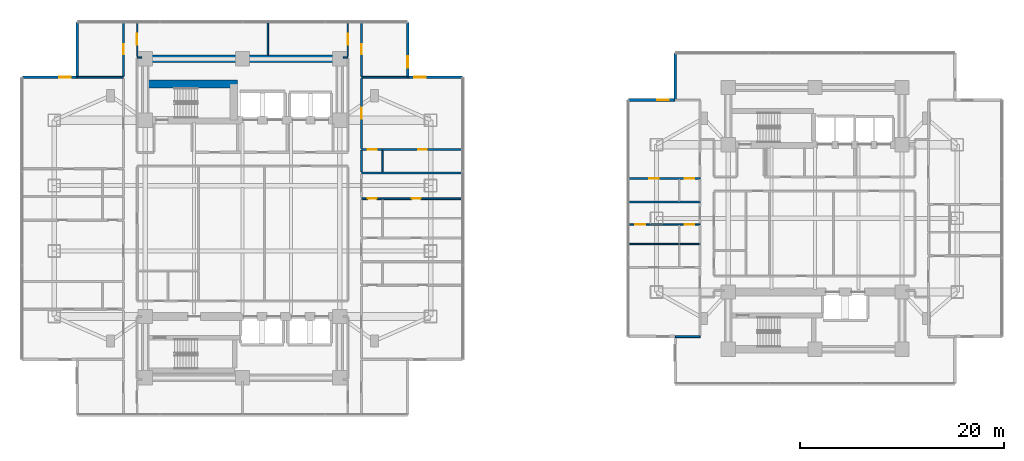
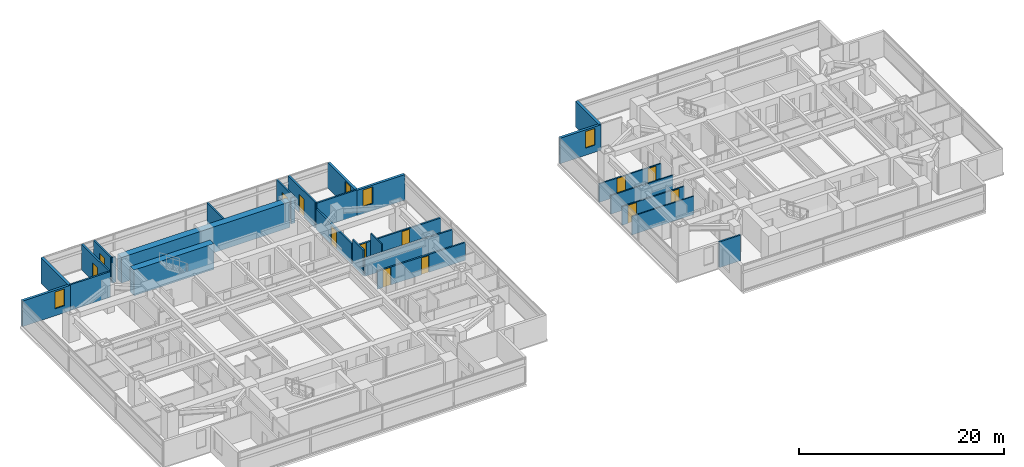
# One storey, part 15 of 23: 28 walls, 13 doors, 4 windows, 17 openings.
"""IFC4 building model written with IfcOpenShell, lengths in metres."""

from ifc_helpers import new_model, si_unit, direction, frame, frame_2d, origin, place, context, subcontext, project, spatial, rectangle, extrude, material, layer, layer_set, type_object, element, fill, save


model = new_model("IFC4")

# Units and contexts
model_context = context("Model", 3, precision=1e-05, world=origin(), true_north=direction((0.0, 1.0)))
body_context = subcontext(model_context, "Body", "Model", "MODEL_VIEW")
ifc_project = project(units=[si_unit("LENGTHUNIT", "METRE"), si_unit("AREAUNIT", "SQUARE_METRE"), si_unit("VOLUMEUNIT", "CUBIC_METRE"), si_unit("PLANEANGLEUNIT", "RADIAN"), si_unit("MASSUNIT", "GRAM", prefix="KILO")], contexts=[model_context])

# Site, building, storey
site_placement = place(None, origin())
site = spatial("IfcSite", under=ifc_project, at=site_placement, CompositionType="ELEMENT")
building_placement = place(site_placement, origin())
building = spatial("IfcBuilding", under=site, at=building_placement, Name="Mirazonda Arch Towers", CompositionType="ELEMENT")
storey_placement = place(building_placement, frame((0.0, 0.0, 29.0)))
storey = spatial("IfcBuildingStorey", under=building, at=storey_placement, Name="L07", CompositionType="ELEMENT", Elevation=29.0)

# Walls
ifc_material_1 = material(Name="Concrete C60/75", Category="concrete")
ifc_layer_1 = layer(ifc_material_1, 0.75, Name="WALL-CORE-750")
ifc_layer_set_1 = layer_set([ifc_layer_1], Name="Concrete C60/75")
wall_type_1 = type_object("IfcWallType", Name="WALL-CORE-750", PredefinedType="SHEAR", material=ifc_layer_set_1)
wall_1_placement = place(storey_placement, frame((11.0, 43.60009765625, 0.0), z_axis=(0.0, 0.0, 1.0), x_axis=(1.0, 0.0, 0.0)))
element("IfcWall", 1, at=wall_1_placement, inside=storey, type_object=wall_type_1, Name="L07 T1N-N Core Shear Wall", PredefinedType="SHEAR", context=body_context, shape_type="SweptSolid", body=[
    extrude(rectangle(XDim=19.0, YDim=0.75, at=frame_2d((9.5, 0.0))), origin(), (0.0, 0.0, 1.0), 3.06005859375),
])
wall_2_placement = place(storey_placement, frame((11.0, 41.14306640625, 0.0), z_axis=(0.0, 0.0, 1.0), x_axis=(1.0, 0.0, 0.0)))
element("IfcWall", 2, at=wall_2_placement, inside=storey, type_object=wall_type_1, Name="L07 T1N-STN Core Shear Wall", PredefinedType="SHEAR", context=body_context, shape_type="SweptSolid", body=[
    extrude(rectangle(XDim=9.0, YDim=0.75, at=frame_2d((4.5, 0.0))), origin(), (0.0, 0.0, 1.0), 3.06005859375),
])

# Wall, opening, window
ifc_material_2 = material(Name="Precast Concrete C40/50", Category="concrete")
ifc_layer_2 = layer(ifc_material_2, 0.280029296875, Name="WALL-EXT-WALL-280")
ifc_layer_set_2 = layer_set([ifc_layer_2], Name="Precast Concrete C40/50")
wall_type_2 = type_object("IfcWallType", Name="WALL-EXT-WALL-280", PredefinedType="SOLIDWALL", material=ifc_layer_set_2)
wall_3_placement = place(storey_placement, frame((36.659912109375, 41.7958984375, 0.0), z_axis=(0.0, 0.0, 1.0), x_axis=(0.0, 1.0, 0.0)))
wall_3 = element("IfcWall", 3, at=wall_3_placement, inside=storey, type_object=wall_type_2, Name="L07 T1 Notched NE Corner Wall WL-L07-T1-CNE", PredefinedType="SOLIDWALL", context=body_context, shape_type="SweptSolid", body=[
    extrude(rectangle(XDim=5.380126953125, YDim=0.280029296875, at=frame_2d((2.68994140625, 0.0))), origin(), (0.0, 0.0, 1.0), 3.0400390625),
])
opening_1_placement = place(wall_3_placement, frame((0.949951171875, 0.0, 0.85009765625)))
opening_1 = element("IfcOpeningElement", 4, at=opening_1_placement, cuts=wall_3, Name="Opening WN-108", PredefinedType="OPENING", context=body_context, shape_type="SweptSolid", body=[
    extrude(rectangle(XDim=1.10009765625, YDim=2.0, at=frame_2d((0.550048828125, 1.0))), frame((0.0, 0.14990234375, 0.0), z_axis=(0.0, -1.0, 0.0), x_axis=(1.0, 0.0, 0.0)), (0.0, 0.0, 1.0), 0.300048828125),
])
ifc_material_3 = material(Name="Insulated Low-E Solar Glass", Category="glass")
window_type = type_object("IfcWindowType", Name="WIN-NOTCH-1100x2000", PartitioningType="SINGLE_PANEL", PredefinedType="WINDOW", material=ifc_material_3)
window_1_placement = place(opening_1_placement, origin())
window_1 = element("IfcWindow", 5, at=window_1_placement, inside=storey, type_object=window_type, Name="L07 Punched Facade Window WN-L07-T1-CNE", OverallHeight=2.0, OverallWidth=1.10009765625, PartitioningType="SINGLE_PANEL", PredefinedType="WINDOW", context=body_context, shape_type="SweptSolid", body=[
    extrude(rectangle(XDim=1.10009765625, YDim=2.0, at=frame_2d((0.550048828125, 1.0))), frame((0.0, 0.030029296875, 0.0), z_axis=(0.0, -1.0, 0.0), x_axis=(1.0, 0.0, 0.0)), (0.0, 0.0, 1.0), 0.06005859375),
])
fill(opening_1, window_1)

wall_4_placement = place(storey_placement, frame((4.340087890625, 41.7958984375, 0.0), z_axis=(0.0, 0.0, 1.0), x_axis=(-1.0, 0.0, 0.0)))
wall_4 = element("IfcWall", 6, at=wall_4_placement, inside=storey, type_object=wall_type_2, Name="L07 T1 Corner Notch Return Wall WL-L07-T1-CNW1", PredefinedType="SOLIDWALL", context=body_context, shape_type="SweptSolid", body=[
    extrude(rectangle(XDim=5.380126953125, YDim=0.280029296875, at=frame_2d((2.68994140625, 0.0))), origin(), (0.0, 0.0, 1.0), 3.0400390625),
])
opening_2_placement = place(wall_4_placement, frame((0.64990234375, 0.0, 0.85009765625)))
opening_2 = element("IfcOpeningElement", 7, at=opening_2_placement, cuts=wall_4, Name="Opening WN-108", PredefinedType="OPENING", context=body_context, shape_type="SweptSolid", body=[
    extrude(rectangle(XDim=1.10009765625, YDim=2.0, at=frame_2d((0.550048828125, 1.0))), frame((0.0, 0.14990234375, 0.0), z_axis=(0.0, -1.0, 0.0), x_axis=(1.0, 0.0, 0.0)), (0.0, 0.0, 1.0), 0.300048828125),
])
window_2_placement = place(opening_2_placement, origin())
window_2 = element("IfcWindow", 8, at=window_2_placement, inside=storey, type_object=window_type, Name="L07 Punched Facade Window WN-L07-T1-CNW1", OverallHeight=2.0, OverallWidth=1.10009765625, PartitioningType="SINGLE_PANEL", PredefinedType="WINDOW", context=body_context, shape_type="SweptSolid", body=[
    extrude(rectangle(XDim=1.10009765625, YDim=2.0, at=frame_2d((0.550048828125, 1.0))), frame((0.0, 0.030029296875, 0.0), z_axis=(0.0, -1.0, 0.0), x_axis=(1.0, 0.0, 0.0)), (0.0, 0.0, 1.0), 0.06005859375),
])
fill(opening_2, window_2)

# Wall
wall_5_placement = place(storey_placement, frame((4.340087890625, 47.176025390625, 0.0), z_axis=(0.0, 0.0, 1.0), x_axis=(0.0, -1.0, 0.0)))
element("IfcWall", 9, at=wall_5_placement, inside=storey, type_object=wall_type_2, Name="L07 T1 Corner Notch Return Wall WL-L07-T1-CNW2", PredefinedType="SOLIDWALL", context=body_context, shape_type="SweptSolid", body=[
    extrude(rectangle(XDim=5.380126953125, YDim=0.280029296875, at=frame_2d((2.68994140625, 0.0))), origin(), (0.0, 0.0, 1.0), 3.0400390625),
])

# Wall, opening, window
wall_6_placement = place(storey_placement, frame((42.0400390625, 41.7958984375, 0.0), z_axis=(0.0, 0.0, 1.0), x_axis=(-1.0, 0.0, 0.0)))
wall_6 = element("IfcWall", 10, at=wall_6_placement, inside=storey, type_object=wall_type_2, Name="L07 T1 Corner Notch Return Wall WL-L07-T1-CNE2", PredefinedType="SOLIDWALL", context=body_context, shape_type="SweptSolid", body=[
    extrude(rectangle(XDim=5.380126953125, YDim=0.280029296875, at=frame_2d((2.68994140625, 0.0))), origin(), (0.0, 0.0, 1.0), 3.0400390625),
])
opening_3_placement = place(wall_6_placement, frame((3.6298828125, 0.0, 0.85009765625)))
opening_3 = element("IfcOpeningElement", 11, at=opening_3_placement, cuts=wall_6, Name="Opening WN-108", PredefinedType="OPENING", context=body_context, shape_type="SweptSolid", body=[
    extrude(rectangle(XDim=1.10009765625, YDim=2.0, at=frame_2d((0.550048828125, 1.0))), frame((0.0, 0.14990234375, 0.0), z_axis=(0.0, -1.0, 0.0), x_axis=(1.0, 0.0, 0.0)), (0.0, 0.0, 1.0), 0.300048828125),
])
window_3_placement = place(opening_3_placement, origin())
window_3 = element("IfcWindow", 12, at=window_3_placement, inside=storey, type_object=window_type, Name="L07 Punched Facade Window WN-L07-T1-CNE2", OverallHeight=2.0, OverallWidth=1.10009765625, PartitioningType="SINGLE_PANEL", PredefinedType="WINDOW", context=body_context, shape_type="SweptSolid", body=[
    extrude(rectangle(XDim=1.10009765625, YDim=2.0, at=frame_2d((0.550048828125, 1.0))), frame((0.0, 0.030029296875, 0.0), z_axis=(0.0, -1.0, 0.0), x_axis=(1.0, 0.0, 0.0)), (0.0, 0.0, 1.0), 0.06005859375),
])
fill(opening_3, window_3)

wall_7_placement = place(storey_placement, frame((62.823974609375, 39.566650390625, 0.0), z_axis=(0.0, 0.0, 1.0), x_axis=(-1.0, 0.0, 0.0)))
wall_7 = element("IfcWall", 13, at=wall_7_placement, inside=storey, type_object=wall_type_2, Name="L07 T2 Corner Notch Return Wall WL-L07-T2-CNW1", PredefinedType="SOLIDWALL", context=body_context, shape_type="SweptSolid", body=[
    extrude(rectangle(XDim=4.580078125, YDim=0.280029296875, at=frame_2d((2.2900390625, 0.0))), origin(), (0.0, 0.0, 1.0), 3.0400390625),
])
opening_4_placement = place(wall_7_placement, frame((0.64990234375, 0.0, 0.85009765625)))
opening_4 = element("IfcOpeningElement", 14, at=opening_4_placement, cuts=wall_7, Name="Opening WN-108", PredefinedType="OPENING", context=body_context, shape_type="SweptSolid", body=[
    extrude(rectangle(XDim=1.10009765625, YDim=2.0, at=frame_2d((0.550048828125, 1.0))), frame((0.0, 0.14990234375, 0.0), z_axis=(0.0, -1.0, 0.0), x_axis=(1.0, 0.0, 0.0)), (0.0, 0.0, 1.0), 0.300048828125),
])
window_4_placement = place(opening_4_placement, origin())
window_4 = element("IfcWindow", 15, at=window_4_placement, inside=storey, type_object=window_type, Name="L07 Punched Facade Window WN-L07-T2-CNW1", OverallHeight=2.0, OverallWidth=1.10009765625, PartitioningType="SINGLE_PANEL", PredefinedType="WINDOW", context=body_context, shape_type="SweptSolid", body=[
    extrude(rectangle(XDim=1.10009765625, YDim=2.0, at=frame_2d((0.550048828125, 1.0))), frame((0.0, 0.030029296875, 0.0), z_axis=(0.0, -1.0, 0.0), x_axis=(1.0, 0.0, 0.0)), (0.0, 0.0, 1.0), 0.06005859375),
])
fill(opening_4, window_4)

# Wall
wall_8_placement = place(storey_placement, frame((62.823974609375, 44.146484375, 0.0), z_axis=(0.0, 0.0, 1.0), x_axis=(0.0, -1.0, 0.0)))
element("IfcWall", 16, at=wall_8_placement, inside=storey, type_object=wall_type_2, Name="L07 T2 Corner Notch Return Wall WL-L07-T2-CNW2", PredefinedType="SOLIDWALL", context=body_context, shape_type="SweptSolid", body=[
    extrude(rectangle(XDim=4.579833984375, YDim=0.280029296875, at=frame_2d((2.2900390625, 0.0))), origin(), (0.0, 0.0, 1.0), 3.0400390625),
])

# Wall, openings, doors
ifc_material_4 = material(Name="Fire-Rated Gypsum Stud Partition")
ifc_layer_3 = layer(ifc_material_4, 0.14990234375, Name="WALL-PART-CORR-150")
ifc_layer_set_3 = layer_set([ifc_layer_3], Name="Fire-Rated Gypsum Stud Partition")
wall_type_3 = type_object("IfcWallType", Name="WALL-PART-CORR-150", PredefinedType="PARTITIONING", material=ifc_layer_set_3)
wall_9_placement = place(storey_placement, frame((58.243896484375, 27.412109375, 0.0), z_axis=(0.0, 0.0, 1.0), x_axis=(1.0, 0.0, 0.0)))
wall_9 = element("IfcWall", 17, at=wall_9_placement, inside=storey, type_object=wall_type_3, Name="L07 Interior Partition 032", PredefinedType="PARTITIONING", context=body_context, shape_type="SweptSolid", body=[
    extrude(rectangle(XDim=7.006103515625, YDim=0.14990234375, at=frame_2d((3.5029296875, 0.0))), origin(), (0.0, 0.0, 1.0), 2.196044921875),
])
opening_5_placement = place(wall_9_placement, frame((0.677978515625, 0.0, 0.0)))
opening_5 = element("IfcOpeningElement", 18, at=opening_5_placement, cuts=wall_9, Name="Opening DR-104", PredefinedType="OPENING", context=body_context, shape_type="SweptSolid", body=[
    extrude(rectangle(XDim=0.949951171875, YDim=2.14990234375, at=frame_2d((0.47509765625, 1.074951171875))), frame((0.0, 0.0849609375, 0.0), z_axis=(0.0, -1.0, 0.0), x_axis=(1.0, 0.0, 0.0)), (0.0, 0.0, 1.0), 0.169921875),
])
opening_6_placement = place(wall_9_placement, frame((5.51611328125, 0.0, 0.0)))
opening_6 = element("IfcOpeningElement", 19, at=opening_6_placement, cuts=wall_9, Name="Opening DR-120", PredefinedType="OPENING", context=body_context, shape_type="SweptSolid", body=[
    extrude(rectangle(XDim=0.89990234375, YDim=2.10009765625, at=frame_2d((0.449951171875, 1.050048828125))), frame((0.0, 0.0849609375, 0.0), z_axis=(0.0, -1.0, 0.0), x_axis=(1.0, 0.0, 0.0)), (0.0, 0.0, 1.0), 0.169921875),
])
ifc_material_5 = material(Name="Architectural Brushed Steel S355", Category="steel")
door_type_1 = type_object("IfcDoorType", Name="DOOR-ROOM-950", OperationType="NOTDEFINED", PredefinedType="DOOR", material=ifc_material_5)
door_1_placement = place(opening_5_placement, origin())
door_1 = element("IfcDoor", 20, at=door_1_placement, inside=storey, type_object=door_type_1, Name="L07 Guestroom Study 2 Door", OperationType="SINGLE_SWING_RIGHT", OverallHeight=2.14990234375, OverallWidth=0.949951171875, PredefinedType="DOOR", context=body_context, shape_type="SweptSolid", body=[
    extrude(rectangle(XDim=0.949951171875, YDim=2.14990234375, at=frame_2d((0.47509765625, 1.074951171875))), frame((0.0, 0.02490234375, 0.0), z_axis=(0.0, -1.0, 0.0), x_axis=(1.0, 0.0, 0.0)), (0.0, 0.0, 1.0), 0.050048828125),
])
fill(opening_5, door_1)
door_type_2 = type_object("IfcDoorType", Name="DOOR-WC-900", OperationType="NOTDEFINED", PredefinedType="DOOR", material=ifc_material_5)
door_2_placement = place(opening_6_placement, origin())
door_2 = element("IfcDoor", 21, at=door_2_placement, inside=storey, type_object=door_type_2, Name="L07 En-Suite Bathroom 2 Door", OperationType="SINGLE_SWING_LEFT", OverallHeight=2.10009765625, OverallWidth=0.89990234375, PredefinedType="DOOR", context=body_context, shape_type="SweptSolid", body=[
    extrude(rectangle(XDim=0.89990234375, YDim=2.10009765625, at=frame_2d((0.449951171875, 1.050048828125))), frame((0.0, 0.02490234375, 0.0), z_axis=(0.0, -1.0, 0.0), x_axis=(1.0, 0.0, 0.0)), (0.0, 0.0, 1.0), 0.050048828125),
])
fill(opening_6, door_2)

# Wall
wall_10_placement = place(storey_placement, frame((58.243896484375, 29.595947265625, 0.0), z_axis=(0.0, 0.0, 1.0), x_axis=(1.0, 0.0, 0.0)))
element("IfcWall", 22, at=wall_10_placement, inside=storey, type_object=wall_type_3, Name="L07 Interior Partition 036", PredefinedType="PARTITIONING", context=body_context, shape_type="SweptSolid", body=[
    extrude(rectangle(XDim=7.006103515625, YDim=0.14990234375, at=frame_2d((3.5029296875, 0.0))), origin(), (0.0, 0.0, 1.0), 2.196044921875),
])

# Wall, openings, doors
wall_11_placement = place(storey_placement, frame((58.243896484375, 31.89599609375, 0.0), z_axis=(0.0, 0.0, 1.0), x_axis=(1.0, 0.0, 0.0)))
wall_11 = element("IfcWall", 23, at=wall_11_placement, inside=storey, type_object=wall_type_3, Name="L07 Interior Partition 040", PredefinedType="PARTITIONING", context=body_context, shape_type="SweptSolid", body=[
    extrude(rectangle(XDim=7.006103515625, YDim=0.14990234375, at=frame_2d((3.5029296875, 0.0))), origin(), (0.0, 0.0, 1.0), 2.196044921875),
])
opening_7_placement = place(wall_11_placement, frame((2.028076171875, 0.0, 0.0)))
opening_7 = element("IfcOpeningElement", 24, at=opening_7_placement, cuts=wall_11, Name="Opening DR-104", PredefinedType="OPENING", context=body_context, shape_type="SweptSolid", body=[
    extrude(rectangle(XDim=0.949951171875, YDim=2.14990234375, at=frame_2d((0.47509765625, 1.074951171875))), frame((0.0, 0.0849609375, 0.0), z_axis=(0.0, -1.0, 0.0), x_axis=(1.0, 0.0, 0.0)), (0.0, 0.0, 1.0), 0.169921875),
])
opening_8_placement = place(wall_11_placement, frame((5.51611328125, 0.0, 0.0)))
opening_8 = element("IfcOpeningElement", 25, at=opening_8_placement, cuts=wall_11, Name="Opening DR-120", PredefinedType="OPENING", context=body_context, shape_type="SweptSolid", body=[
    extrude(rectangle(XDim=0.89990234375, YDim=2.10009765625, at=frame_2d((0.449951171875, 1.050048828125))), frame((0.0, 0.0849609375, 0.0), z_axis=(0.0, -1.0, 0.0), x_axis=(1.0, 0.0, 0.0)), (0.0, 0.0, 1.0), 0.169921875),
])
door_3_placement = place(opening_7_placement, origin())
door_3 = element("IfcDoor", 26, at=door_3_placement, inside=storey, type_object=door_type_1, Name="L07 Guestroom Study 3 Door", OperationType="SINGLE_SWING_LEFT", OverallHeight=2.14990234375, OverallWidth=0.949951171875, PredefinedType="DOOR", context=body_context, shape_type="SweptSolid", body=[
    extrude(rectangle(XDim=0.949951171875, YDim=2.14990234375, at=frame_2d((0.47509765625, 1.074951171875))), frame((0.0, 0.02490234375, 0.0), z_axis=(0.0, -1.0, 0.0), x_axis=(1.0, 0.0, 0.0)), (0.0, 0.0, 1.0), 0.050048828125),
])
fill(opening_7, door_3)
door_4_placement = place(opening_8_placement, origin())
door_4 = element("IfcDoor", 27, at=door_4_placement, inside=storey, type_object=door_type_2, Name="L07 En-Suite Bathroom 3 Door", OperationType="SINGLE_SWING_RIGHT", OverallHeight=2.10009765625, OverallWidth=0.89990234375, PredefinedType="DOOR", context=body_context, shape_type="SweptSolid", body=[
    extrude(rectangle(XDim=0.89990234375, YDim=2.10009765625, at=frame_2d((0.449951171875, 1.050048828125))), frame((0.0, 0.02490234375, 0.0), z_axis=(0.0, -1.0, 0.0), x_axis=(1.0, 0.0, 0.0)), (0.0, 0.0, 1.0), 0.050048828125),
])
fill(opening_8, door_4)

# Walls
for number, where, z_axis, x_axis, name in (
    (28, (10.199951171875, 43.75, 0.0), (0.0, 0.0, 1.0), (1.0, 0.0, 0.0), "L07 Interior Partition 061"),
    (29, (30.3701171875, 43.75, 0.0), (0.0, 0.0, 1.0), (1.0, 0.0, 0.0), "L07 Interior Partition 062"),
):
    element("IfcWall", number, at=place(storey_placement, frame(where, z_axis=z_axis, x_axis=x_axis)), inside=storey, type_object=wall_type_3, Name=name, PredefinedType="PARTITIONING", context=body_context, shape_type="SweptSolid", body=[
        extrude(rectangle(XDim=0.429931640625, YDim=0.14990234375, at=frame_2d((0.21484375, 0.0))), origin(), (0.0, 0.0, 1.0), 3.06005859375),
    ])

# Wall, opening, door
wall_12_placement = place(storey_placement, frame((10.199951171875, 43.8349609375, 0.0), z_axis=(0.0, 0.0, 1.0), x_axis=(0.0, 1.0, 0.0)))
wall_12 = element("IfcWall", 30, at=wall_12_placement, inside=storey, type_object=wall_type_3, Name="L07 Interior Partition 079", PredefinedType="PARTITIONING", context=body_context, shape_type="SweptSolid", body=[
    extrude(rectangle(XDim=3.341064453125, YDim=0.14990234375, at=frame_2d((1.67041015625, 0.0))), origin(), (0.0, 0.0, 1.0), 3.06005859375),
])
opening_9_placement = place(wall_12_placement, frame((1.1455078125, 0.0, 0.0)))
opening_9 = element("IfcOpeningElement", 31, at=opening_9_placement, cuts=wall_12, Name="Opening DR-121", PredefinedType="OPENING", context=body_context, shape_type="SweptSolid", body=[
    extrude(rectangle(XDim=1.050048828125, YDim=2.199951171875, at=frame_2d((0.52490234375, 1.10009765625))), frame((0.0, 0.0849609375, 0.0), z_axis=(0.0, -1.0, 0.0), x_axis=(1.0, 0.0, 0.0)), (0.0, 0.0, 1.0), 0.169921875),
])
door_type_3 = type_object("IfcDoorType", Name="DOOR-SUITE-FD60-1050", OperationType="NOTDEFINED", PredefinedType="DOOR", material=ifc_material_5)
door_5_placement = place(opening_9_placement, origin())
door_5 = element("IfcDoor", 32, at=door_5_placement, inside=storey, type_object=door_type_3, Name="L07 North Reading Salon West Door", OperationType="SINGLE_SWING_RIGHT", OverallHeight=2.199951171875, OverallWidth=1.050048828125, PredefinedType="DOOR", context=body_context, shape_type="SweptSolid", body=[
    extrude(rectangle(XDim=1.050048828125, YDim=2.199951171875, at=frame_2d((0.52490234375, 1.10009765625))), frame((0.0, 0.02490234375, 0.0), z_axis=(0.0, -1.0, 0.0), x_axis=(1.0, 0.0, 0.0)), (0.0, 0.0, 1.0), 0.050048828125),
])
fill(opening_9, door_5)

# Wall
wall_13_placement = place(storey_placement, frame((22.971923828125, 43.969970703125, 0.0), z_axis=(0.0, 0.0, 1.0), x_axis=(0.0, 1.0, 0.0)))
element("IfcWall", 33, at=wall_13_placement, inside=storey, type_object=wall_type_3, Name="L07 Interior Partition 091", PredefinedType="PARTITIONING", context=body_context, shape_type="SweptSolid", body=[
    extrude(rectangle(XDim=3.2060546875, YDim=0.14990234375, at=frame_2d((1.60302734375, 0.0))), origin(), (0.0, 0.0, 1.0), 3.06005859375),
])

# Wall, opening, door
wall_14_placement = place(storey_placement, frame((30.800048828125, 43.8349609375, 0.0), z_axis=(0.0, 0.0, 1.0), x_axis=(0.0, 1.0, 0.0)))
wall_14 = element("IfcWall", 34, at=wall_14_placement, inside=storey, type_object=wall_type_3, Name="L07 Interior Partition 104", PredefinedType="PARTITIONING", context=body_context, shape_type="SweptSolid", body=[
    extrude(rectangle(XDim=3.341064453125, YDim=0.14990234375, at=frame_2d((1.67041015625, 0.0))), origin(), (0.0, 0.0, 1.0), 3.06005859375),
])
opening_10_placement = place(wall_14_placement, frame((1.1455078125, 0.0, 0.0)))
opening_10 = element("IfcOpeningElement", 35, at=opening_10_placement, cuts=wall_14, Name="Opening DR-121", PredefinedType="OPENING", context=body_context, shape_type="SweptSolid", body=[
    extrude(rectangle(XDim=1.050048828125, YDim=2.199951171875, at=frame_2d((0.52490234375, 1.10009765625))), frame((0.0, 0.0849609375, 0.0), z_axis=(0.0, -1.0, 0.0), x_axis=(1.0, 0.0, 0.0)), (0.0, 0.0, 1.0), 0.169921875),
])
door_6_placement = place(opening_10_placement, origin())
door_6 = element("IfcDoor", 36, at=door_6_placement, inside=storey, type_object=door_type_3, Name="L07 North Reading Salon East Door", OperationType="SINGLE_SWING_LEFT", OverallHeight=2.199951171875, OverallWidth=1.050048828125, PredefinedType="DOOR", context=body_context, shape_type="SweptSolid", body=[
    extrude(rectangle(XDim=1.050048828125, YDim=2.199951171875, at=frame_2d((0.52490234375, 1.10009765625))), frame((0.0, 0.02490234375, 0.0), z_axis=(0.0, -1.0, 0.0), x_axis=(1.0, 0.0, 0.0)), (0.0, 0.0, 1.0), 0.050048828125),
])
fill(opening_10, door_6)

# Wall
ifc_material_6 = material(Name="Fire-Rated Gypsum Twin-Stud Assembly")
ifc_layer_4 = layer(ifc_material_6, 0.179931640625, Name="WALL-PART-DEMISE-180")
ifc_layer_set_4 = layer_set([ifc_layer_4], Name="Fire-Rated Gypsum Twin-Stud Assembly")
wall_type_4 = type_object("IfcWallType", Name="WALL-PART-DEMISE-180", PredefinedType="PARTITIONING", material=ifc_layer_set_4)
wall_15_placement = place(storey_placement, frame((62.843994140625, 16.43310546875, 0.0), z_axis=(0.0, 0.0, 1.0), x_axis=(1.0, 0.0, 0.0)))
element("IfcWall", 37, at=wall_15_placement, inside=storey, type_object=wall_type_4, Name="L07 Interior Partition 009", PredefinedType="PARTITIONING", context=body_context, shape_type="SweptSolid", body=[
    extrude(rectangle(XDim=2.406005859375, YDim=0.179931640625, at=frame_2d((1.203125, 0.0))), origin(), (0.0, 0.0, 1.0), 3.06005859375),
])

# Wall, openings, doors
wall_16_placement = place(storey_placement, frame((32.139892578125, 29.919921875, 0.0), z_axis=(0.0, 0.0, 1.0), x_axis=(1.0, 0.0, 0.0)))
wall_16 = element("IfcWall", 38, at=wall_16_placement, inside=storey, type_object=wall_type_4, Name="L07 Interior Partition 037", PredefinedType="PARTITIONING", context=body_context, shape_type="SweptSolid", body=[
    extrude(rectangle(XDim=9.900146484375, YDim=0.179931640625, at=frame_2d((4.9501953125, 0.0))), origin(), (0.0, 0.0, 1.0), 2.125),
])
opening_11_placement = place(wall_16_placement, frame((4.925048828125, 0.0, 0.0)))
opening_11 = element("IfcOpeningElement", 39, at=opening_11_placement, cuts=wall_16, Name="Opening DR-128", PredefinedType="OPENING", context=body_context, shape_type="SweptSolid", body=[
    extrude(rectangle(XDim=0.85009765625, YDim=2.010009765625, at=frame_2d((0.425048828125, 1.0048828125))), frame((0.0, 0.099853515625, 0.0), z_axis=(0.0, -1.0, 0.0), x_axis=(1.0, 0.0, 0.0)), (0.0, 0.0, 1.0), 0.199951171875),
])
opening_12_placement = place(wall_16_placement, frame((0.590087890625, 0.0, 0.0)))
opening_12 = element("IfcOpeningElement", 40, at=opening_12_placement, cuts=wall_16, Name="Opening DR-120", PredefinedType="OPENING", context=body_context, shape_type="SweptSolid", body=[
    extrude(rectangle(XDim=0.89990234375, YDim=2.10009765625, at=frame_2d((0.449951171875, 1.050048828125))), frame((0.0, 0.099853515625, 0.0), z_axis=(0.0, -1.0, 0.0), x_axis=(1.0, 0.0, 0.0)), (0.0, 0.0, 1.0), 0.199951171875),
])
door_type_4 = type_object("IfcDoorType", Name="DOOR-RISER-FD60-850", OperationType="NOTDEFINED", PredefinedType="DOOR", material=ifc_material_5)
door_7_placement = place(opening_11_placement, origin())
door_7 = element("IfcDoor", 41, at=door_7_placement, inside=storey, type_object=door_type_4, Name="L07 Guestroom Study 3 Door", OperationType="SINGLE_SWING_LEFT", OverallHeight=2.010009765625, OverallWidth=0.85009765625, PredefinedType="DOOR", context=body_context, shape_type="SweptSolid", body=[
    extrude(rectangle(XDim=0.85009765625, YDim=2.010009765625, at=frame_2d((0.425048828125, 1.0048828125))), frame((0.0, 0.02490234375, 0.0), z_axis=(0.0, -1.0, 0.0), x_axis=(1.0, 0.0, 0.0)), (0.0, 0.0, 1.0), 0.050048828125),
])
fill(opening_11, door_7)
door_8_placement = place(opening_12_placement, origin())
door_8 = element("IfcDoor", 42, at=door_8_placement, inside=storey, type_object=door_type_2, Name="L07 En-Suite Bathroom 3 Door", OperationType="SINGLE_SWING_RIGHT", OverallHeight=2.10009765625, OverallWidth=0.89990234375, PredefinedType="DOOR", context=body_context, shape_type="SweptSolid", body=[
    extrude(rectangle(XDim=0.89990234375, YDim=2.10009765625, at=frame_2d((0.449951171875, 1.050048828125))), frame((0.0, 0.02490234375, 0.0), z_axis=(0.0, -1.0, 0.0), x_axis=(1.0, 0.0, 0.0)), (0.0, 0.0, 1.0), 0.050048828125),
])
fill(opening_12, door_8)

# Wall
wall_17_placement = place(storey_placement, frame((32.139892578125, 32.43701171875, 0.0), z_axis=(0.0, 0.0, 1.0), x_axis=(1.0, 0.0, 0.0)))
element("IfcWall", 43, at=wall_17_placement, inside=storey, type_object=wall_type_4, Name="L07 Interior Partition 043", PredefinedType="PARTITIONING", context=body_context, shape_type="SweptSolid", body=[
    extrude(rectangle(XDim=9.900146484375, YDim=0.179931640625, at=frame_2d((4.9501953125, 0.0))), origin(), (0.0, 0.0, 1.0), 2.125),
])

# Wall, openings, doors
wall_18_placement = place(storey_placement, frame((32.139892578125, 34.737060546875, 0.0), z_axis=(0.0, 0.0, 1.0), x_axis=(1.0, 0.0, 0.0)))
wall_18 = element("IfcWall", 44, at=wall_18_placement, inside=storey, type_object=wall_type_4, Name="L07 Interior Partition 048", PredefinedType="PARTITIONING", context=body_context, shape_type="SweptSolid", body=[
    extrude(rectangle(XDim=9.900146484375, YDim=0.179931640625, at=frame_2d((4.9501953125, 0.0))), origin(), (0.0, 0.0, 1.0), 2.125),
])
opening_13_placement = place(wall_18_placement, frame((5.52490234375, 0.0, 0.0)))
opening_13 = element("IfcOpeningElement", 45, at=opening_13_placement, cuts=wall_18, Name="Opening DR-128", PredefinedType="OPENING", context=body_context, shape_type="SweptSolid", body=[
    extrude(rectangle(XDim=0.85009765625, YDim=2.010009765625, at=frame_2d((0.425048828125, 1.0048828125))), frame((0.0, 0.099853515625, 0.0), z_axis=(0.0, -1.0, 0.0), x_axis=(1.0, 0.0, 0.0)), (0.0, 0.0, 1.0), 0.199951171875),
])
opening_14_placement = place(wall_18_placement, frame((0.590087890625, 0.0, 0.0)))
opening_14 = element("IfcOpeningElement", 46, at=opening_14_placement, cuts=wall_18, Name="Opening DR-120", PredefinedType="OPENING", context=body_context, shape_type="SweptSolid", body=[
    extrude(rectangle(XDim=0.89990234375, YDim=2.10009765625, at=frame_2d((0.449951171875, 1.050048828125))), frame((0.0, 0.099853515625, 0.0), z_axis=(0.0, -1.0, 0.0), x_axis=(1.0, 0.0, 0.0)), (0.0, 0.0, 1.0), 0.199951171875),
])
door_9_placement = place(opening_13_placement, origin())
door_9 = element("IfcDoor", 47, at=door_9_placement, inside=storey, type_object=door_type_4, Name="L07 Suite Bedroom 4 Door", OperationType="SINGLE_SWING_RIGHT", OverallHeight=2.010009765625, OverallWidth=0.85009765625, PredefinedType="DOOR", context=body_context, shape_type="SweptSolid", body=[
    extrude(rectangle(XDim=0.85009765625, YDim=2.010009765625, at=frame_2d((0.425048828125, 1.0048828125))), frame((0.0, 0.02490234375, 0.0), z_axis=(0.0, -1.0, 0.0), x_axis=(1.0, 0.0, 0.0)), (0.0, 0.0, 1.0), 0.050048828125),
])
fill(opening_13, door_9)
door_10_placement = place(opening_14_placement, origin())
door_10 = element("IfcDoor", 48, at=door_10_placement, inside=storey, type_object=door_type_2, Name="L07 Suite En-Suite Bathroom 4 Door", OperationType="SINGLE_SWING_LEFT", OverallHeight=2.10009765625, OverallWidth=0.89990234375, PredefinedType="DOOR", context=body_context, shape_type="SweptSolid", body=[
    extrude(rectangle(XDim=0.89990234375, YDim=2.10009765625, at=frame_2d((0.449951171875, 1.050048828125))), frame((0.0, 0.02490234375, 0.0), z_axis=(0.0, -1.0, 0.0), x_axis=(1.0, 0.0, 0.0)), (0.0, 0.0, 1.0), 0.050048828125),
])
fill(opening_14, door_10)

# Walls
for number, where, z_axis, x_axis, name in (
    (49, (4.360107421875, 41.7958984375, 0.0), (0.0, 0.0, 1.0), (1.0, 0.0, 0.0), "L07 Interior Partition 059"),
    (50, (32.139892578125, 41.7958984375, 0.0), (0.0, 0.0, 1.0), (1.0, 0.0, 0.0), "L07 Interior Partition 060"),
):
    element("IfcWall", number, at=place(storey_placement, frame(where, z_axis=z_axis, x_axis=x_axis)), inside=storey, type_object=wall_type_4, Name=name, PredefinedType="PARTITIONING", context=body_context, shape_type="SweptSolid", body=[
        extrude(rectangle(XDim=4.5, YDim=0.179931640625, at=frame_2d((2.25, 0.0))), origin(), (0.0, 0.0, 1.0), 3.06005859375),
    ])

# Wall, opening, door
wall_19_placement = place(storey_placement, frame((8.860107421875, 41.89599609375, 0.0), z_axis=(0.0, 0.0, 1.0), x_axis=(0.0, 1.0, 0.0)))
wall_19 = element("IfcWall", 51, at=wall_19_placement, inside=storey, type_object=wall_type_4, Name="L07 Interior Partition 073", PredefinedType="PARTITIONING", context=body_context, shape_type="SweptSolid", body=[
    extrude(rectangle(XDim=5.280029296875, YDim=0.179931640625, at=frame_2d((2.64013671875, 0.0))), origin(), (0.0, 0.0, 1.0), 3.06005859375),
])
opening_15_placement = place(wall_19_placement, frame((2.1650390625, 0.0, 0.0)))
opening_15 = element("IfcOpeningElement", 52, at=opening_15_placement, cuts=wall_19, Name="Opening DR-104", PredefinedType="OPENING", context=body_context, shape_type="SweptSolid", body=[
    extrude(rectangle(XDim=0.949951171875, YDim=2.14990234375, at=frame_2d((0.47509765625, 1.074951171875))), frame((0.0, 0.099853515625, 0.0), z_axis=(0.0, -1.0, 0.0), x_axis=(1.0, 0.0, 0.0)), (0.0, 0.0, 1.0), 0.199951171875),
])
door_11_placement = place(opening_15_placement, origin())
door_11 = element("IfcDoor", 53, at=door_11_placement, inside=storey, type_object=door_type_1, Name="L07 North Reading Salon Alcove West Door", OperationType="SINGLE_SWING_RIGHT", OverallHeight=2.14990234375, OverallWidth=0.949951171875, PredefinedType="DOOR", context=body_context, shape_type="SweptSolid", body=[
    extrude(rectangle(XDim=0.949951171875, YDim=2.14990234375, at=frame_2d((0.47509765625, 1.074951171875))), frame((0.0, 0.02490234375, 0.0), z_axis=(0.0, -1.0, 0.0), x_axis=(1.0, 0.0, 0.0)), (0.0, 0.0, 1.0), 0.050048828125),
])
fill(opening_15, door_11)

# Wall
wall_20_placement = place(storey_placement, frame((32.139892578125, 32.537109375, 0.0), z_axis=(0.0, 0.0, 1.0), x_axis=(0.0, 1.0, 0.0)))
element("IfcWall", 54, at=wall_20_placement, inside=storey, type_object=wall_type_4, Name="L07 Interior Partition 112", PredefinedType="PARTITIONING", context=body_context, shape_type="SweptSolid", body=[
    extrude(rectangle(XDim=2.099853515625, YDim=0.179931640625, at=frame_2d((1.0498046875, 0.0))), origin(), (0.0, 0.0, 1.0), 3.06005859375),
])

# Wall, opening, door
wall_21_placement = place(storey_placement, frame((32.139892578125, 34.8369140625, 0.0), z_axis=(0.0, 0.0, 1.0), x_axis=(0.0, 1.0, 0.0)))
wall_21 = element("IfcWall", 55, at=wall_21_placement, inside=storey, type_object=wall_type_4, Name="L07 Interior Partition 113", PredefinedType="PARTITIONING", context=body_context, shape_type="SweptSolid", body=[
    extrude(rectangle(XDim=6.859130859375, YDim=0.179931640625, at=frame_2d((3.4296875, 0.0))), origin(), (0.0, 0.0, 1.0), 2.43603515625),
])
opening_16_placement = place(wall_21_placement, frame((2.904541015625, 0.0, 0.0)))
opening_16 = element("IfcOpeningElement", 56, at=opening_16_placement, cuts=wall_21, Name="Opening DR-121", PredefinedType="OPENING", context=body_context, shape_type="SweptSolid", body=[
    extrude(rectangle(XDim=1.050048828125, YDim=2.199951171875, at=frame_2d((0.52490234375, 1.10009765625))), frame((0.0, 0.099853515625, 0.0), z_axis=(0.0, -1.0, 0.0), x_axis=(1.0, 0.0, 0.0)), (0.0, 0.0, 1.0), 0.199951171875),
])
door_12_placement = place(opening_16_placement, origin())
door_12 = element("IfcDoor", 57, at=door_12_placement, inside=storey, type_object=door_type_3, Name="L07 Deluxe Suite Living Room 4 Door", OperationType="SINGLE_SWING_LEFT", OverallHeight=2.199951171875, OverallWidth=1.050048828125, PredefinedType="DOOR", context=body_context, shape_type="SweptSolid", body=[
    extrude(rectangle(XDim=1.050048828125, YDim=2.199951171875, at=frame_2d((0.52490234375, 1.10009765625))), frame((0.0, 0.02490234375, 0.0), z_axis=(0.0, -1.0, 0.0), x_axis=(1.0, 0.0, 0.0)), (0.0, 0.0, 1.0), 0.050048828125),
])
fill(opening_16, door_12)

wall_22_placement = place(storey_placement, frame((32.139892578125, 41.89599609375, 0.0), z_axis=(0.0, 0.0, 1.0), x_axis=(0.0, 1.0, 0.0)))
wall_22 = element("IfcWall", 58, at=wall_22_placement, inside=storey, type_object=wall_type_4, Name="L07 Interior Partition 114", PredefinedType="PARTITIONING", context=body_context, shape_type="SweptSolid", body=[
    extrude(rectangle(XDim=5.280029296875, YDim=0.179931640625, at=frame_2d((2.64013671875, 0.0))), origin(), (0.0, 0.0, 1.0), 3.06005859375),
])
opening_17_placement = place(wall_22_placement, frame((2.1650390625, 0.0, 0.0)))
opening_17 = element("IfcOpeningElement", 59, at=opening_17_placement, cuts=wall_22, Name="Opening DR-104", PredefinedType="OPENING", context=body_context, shape_type="SweptSolid", body=[
    extrude(rectangle(XDim=0.949951171875, YDim=2.14990234375, at=frame_2d((0.47509765625, 1.074951171875))), frame((0.0, 0.099853515625, 0.0), z_axis=(0.0, -1.0, 0.0), x_axis=(1.0, 0.0, 0.0)), (0.0, 0.0, 1.0), 0.199951171875),
])
door_13_placement = place(opening_17_placement, origin())
door_13 = element("IfcDoor", 60, at=door_13_placement, inside=storey, type_object=door_type_1, Name="L07 North Reading Salon Alcove East Door", OperationType="SINGLE_SWING_LEFT", OverallHeight=2.14990234375, OverallWidth=0.949951171875, PredefinedType="DOOR", context=body_context, shape_type="SweptSolid", body=[
    extrude(rectangle(XDim=0.949951171875, YDim=2.14990234375, at=frame_2d((0.47509765625, 1.074951171875))), frame((0.0, 0.02490234375, 0.0), z_axis=(0.0, -1.0, 0.0), x_axis=(1.0, 0.0, 0.0)), (0.0, 0.0, 1.0), 0.050048828125),
])
fill(opening_17, door_13)

# Walls
ifc_material_7 = material(Name="Acoustic Fire-Rated Gypsum Partition")
ifc_layer_5 = layer(ifc_material_7, 0.125, Name="WALL-PART-UNIT-125")
ifc_layer_set_5 = layer_set([ifc_layer_5], Name="Acoustic Fire-Rated Gypsum Partition")
wall_type_5 = type_object("IfcWallType", Name="WALL-PART-UNIT-125", PredefinedType="PARTITIONING", material=ifc_layer_set_5)
wall_23_placement = place(storey_placement, frame((58.243896484375, 25.491943359375, 0.0), z_axis=(0.0, 0.0, 1.0), x_axis=(1.0, 0.0, 0.0)))
element("IfcWall", 61, at=wall_23_placement, inside=storey, type_object=wall_type_5, Name="L07 Interior Partition 029", PredefinedType="PARTITIONING", context=body_context, shape_type="SweptSolid", body=[
    extrude(rectangle(XDim=7.006103515625, YDim=0.125, at=frame_2d((3.5029296875, 0.0))), origin(), (0.0, 0.0, 1.0), 2.196044921875),
])
wall_24_placement = place(storey_placement, frame((34.179931640625, 32.537109375, 0.0), z_axis=(0.0, 0.0, 1.0), x_axis=(0.0, 1.0, 0.0)))
element("IfcWall", 62, at=wall_24_placement, inside=storey, type_object=wall_type_5, Name="L07 Interior Partition 118", PredefinedType="PARTITIONING", context=body_context, shape_type="SweptSolid", body=[
    extrude(rectangle(XDim=2.099853515625, YDim=0.125, at=frame_2d((1.0498046875, 0.0))), origin(), (0.0, 0.0, 1.0), 3.06005859375),
])

save(model, "model.ifc")
